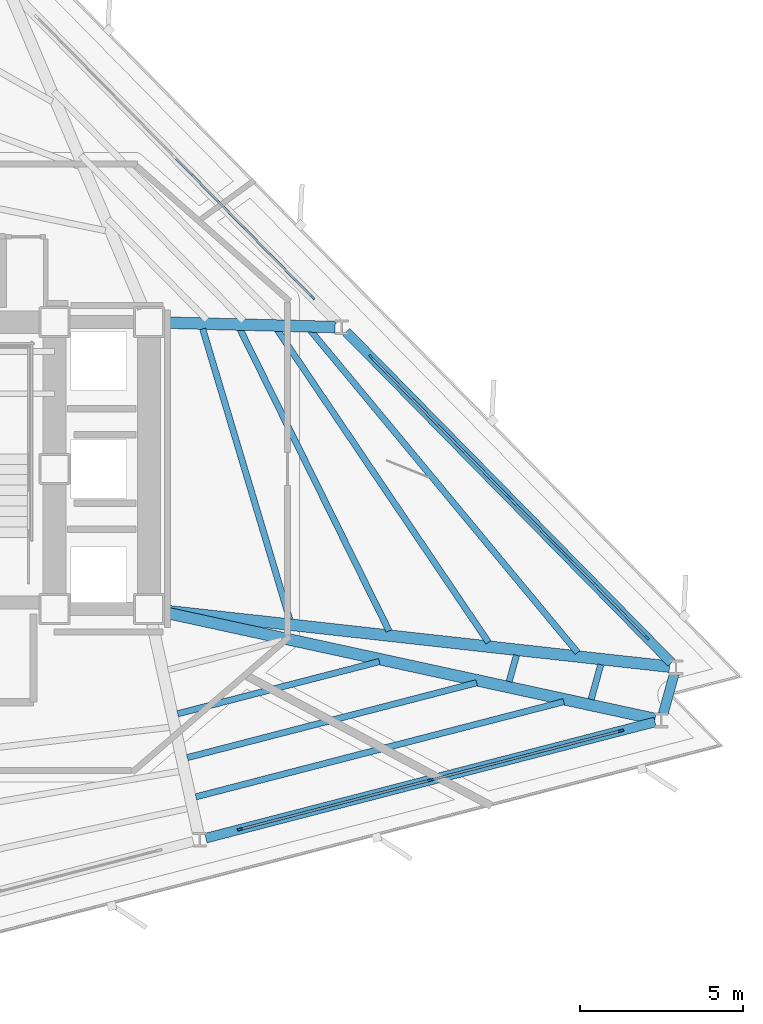
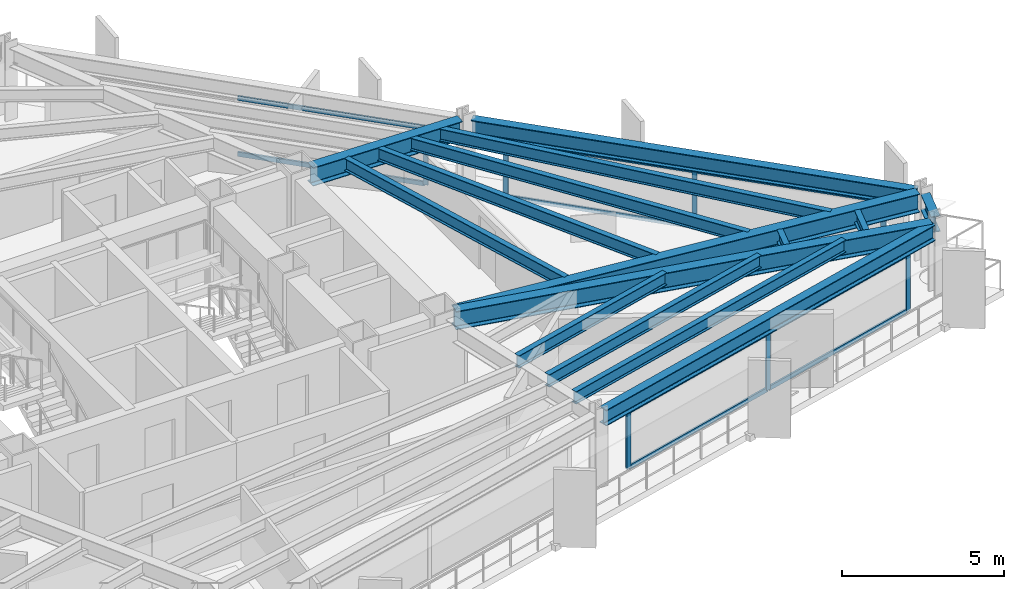
# One storey, part 4 of 11: 17 members, 15 beams, 3 elements without a shape of their own.
"""IFC4 building model written with IfcOpenShell, lengths in metres."""

from ifc_helpers import new_model, si_unit, direction, frame, origin, origin_2d, place, context, subcontext, project, spatial, rectangle, i_section, extrude, material, layer, layer_set, material_profile, profile_set, type_object, element, aggregate, save


model = new_model("IFC4")

# Units and contexts
model_context = context("Model", 3, precision=1e-05, world=origin(), true_north=direction((0.0, 1.0)))
body_context = subcontext(model_context, "Body", "Model", "MODEL_VIEW")
ifc_project = project(units=[si_unit("LENGTHUNIT", "METRE"), si_unit("AREAUNIT", "SQUARE_METRE"), si_unit("VOLUMEUNIT", "CUBIC_METRE"), si_unit("PLANEANGLEUNIT", "RADIAN"), si_unit("MASSUNIT", "GRAM", prefix="KILO")], contexts=[model_context])

# Site, building, storey
site_placement = place(None, origin())
site = spatial("IfcSite", under=ifc_project, at=site_placement, CompositionType="ELEMENT")
building_placement = place(site_placement, origin())
building = spatial("IfcBuilding", under=site, at=building_placement, Name="Rocaltana Carrier Exchange", CompositionType="ELEMENT")
storey_placement = place(building_placement, frame((0.0, 0.0, 85.60009765625)))
storey = spatial("IfcBuildingStorey", under=building, at=storey_placement, Name="L26", CompositionType="ELEMENT", Elevation=85.60009765625)

# Curtain wall, members
ifc_material_1 = material(Name="Aluminium 6063-T6", Category="aluminium")
ifc_layer = layer(ifc_material_1, 0.1650390625)
ifc_layer_set = layer_set([ifc_layer], Name="Aluminium 6063-T6")
curtain_wall_type = type_object("IfcCurtainWallType", Name="Lower-Mid Stepped Curtain Wall CW-02", PredefinedType="NOTDEFINED", material=ifc_layer_set)
curtain_wall_1_placement = place(storey_placement, origin())
curtain_wall_1 = element("IfcCurtainWall", 1, at=curtain_wall_1_placement, inside=storey, type_object=curtain_wall_type, Name="L26 CW-02 Run CW-L26-F1S1", PredefinedType="NOTDEFINED")
ifc_material_2 = material(Name="Aluminium 6063-T6", Category="aluminium")
ifc_material_profile_1 = material_profile(ifc_material_2, rectangle(XDim=0.06494140625, YDim=0.1650390625, at=origin_2d()), Name="AL-65X165")
ifc_profile_set_1 = profile_set([ifc_material_profile_1], Name="Aluminium 6063-T6")
member_type_1 = type_object("IfcMemberType", Name="CW-02 Mullion AL-65X165", PredefinedType="MULLION", material=ifc_profile_set_1)
member_1_placement = place(storey_placement, frame((24.21875, -5.1767578125, 0.0), z_axis=(0.0, 0.0, 1.0), x_axis=(-0.713244767898, -0.700915045542, 0.0)))
member_1 = element("IfcMember", 2, at=member_1_placement, type_object=member_type_1, Name="CW-02 mullion 1", PredefinedType="MULLION", context=body_context, shape_type="SweptSolid", body=[
    extrude(rectangle(XDim=0.06494140625, YDim=0.1650390625, at=origin_2d()), origin(), (0.0, 0.0, 1.0), 2.16796875),
])
member_2_placement = place(storey_placement, frame((19.989501953125, -0.872802734375, 0.0), z_axis=(0.0, 0.0, 1.0), x_axis=(-0.713244767898, -0.700915045542, 0.0)))
member_2 = element("IfcMember", 3, at=member_2_placement, type_object=member_type_1, Name="CW-02 mullion 2", PredefinedType="MULLION", context=body_context, shape_type="SweptSolid", body=[
    extrude(rectangle(XDim=0.06494140625, YDim=0.1650390625, at=origin_2d()), origin(), (0.0, 0.0, 1.0), 2.16796875),
])
member_3_placement = place(storey_placement, frame((15.760009765625, 3.430908203125, 0.0), z_axis=(0.0, 0.0, 1.0), x_axis=(-0.713244767898, -0.700915045542, 0.0)))
member_3 = element("IfcMember", 4, at=member_3_placement, type_object=member_type_1, Name="CW-02 mullion 3", PredefinedType="MULLION", context=body_context, shape_type="SweptSolid", body=[
    extrude(rectangle(XDim=0.06494140625, YDim=0.1650390625, at=origin_2d()), origin(), (0.0, 0.0, 1.0), 2.16796875),
])

# Curtain wall, member
curtain_wall_2_placement = place(storey_placement, origin())
curtain_wall_2 = element("IfcCurtainWall", 5, at=curtain_wall_2_placement, inside=storey, type_object=curtain_wall_type, Name="L26 CW-02 Run CW-L26-F1S2", PredefinedType="NOTDEFINED")
member_4_placement = place(storey_placement, frame((13.962158203125, 5.260498046875, 0.0), z_axis=(0.0, 0.0, 1.0), x_axis=(-0.713244696676, -0.700915118017, 0.0)))
member_4 = element("IfcMember", 6, at=member_4_placement, type_object=member_type_1, Name="CW-02 mullion 1", PredefinedType="MULLION", context=body_context, shape_type="SweptSolid", body=[
    extrude(rectangle(XDim=0.06494140625, YDim=0.1650390625, at=origin_2d()), origin(), (0.0, 0.0, 1.0), 2.16796875),
])

# Curtain wall, members
curtain_wall_3_placement = place(storey_placement, origin())
curtain_wall_3 = element("IfcCurtainWall", 7, at=curtain_wall_3_placement, inside=storey, type_object=curtain_wall_type, Name="L26 CW-02 Run CW-L26-F3S3", PredefinedType="NOTDEFINED")
member_5_placement = place(storey_placement, frame((11.741943359375, -11.057861328125, 0.0), z_axis=(0.0, 0.0, 1.0), x_axis=(-0.250370035526, 0.96815021836, 0.0)))
member_5 = element("IfcMember", 8, at=member_5_placement, type_object=member_type_1, Name="CW-02 mullion 1", PredefinedType="MULLION", context=body_context, shape_type="SweptSolid", body=[
    extrude(rectangle(XDim=0.06494140625, YDim=0.1650390625, at=origin_2d()), origin(), (0.0, 0.0, 1.0), 2.16796875),
])
member_6_placement = place(storey_placement, frame((17.583740234375, -9.547119140625, 0.0), z_axis=(0.0, 0.0, 1.0), x_axis=(-0.250370035526, 0.96815021836, 0.0)))
member_6 = element("IfcMember", 9, at=member_6_placement, type_object=member_type_1, Name="CW-02 mullion 2", PredefinedType="MULLION", context=body_context, shape_type="SweptSolid", body=[
    extrude(rectangle(XDim=0.06494140625, YDim=0.1650390625, at=origin_2d()), origin(), (0.0, 0.0, 1.0), 2.16796875),
])
member_7_placement = place(storey_placement, frame((23.42578125, -8.036376953125, 0.0), z_axis=(0.0, 0.0, 1.0), x_axis=(-0.250370035526, 0.96815021836, 0.0)))
member_7 = element("IfcMember", 10, at=member_7_placement, type_object=member_type_1, Name="CW-02 mullion 3", PredefinedType="MULLION", context=body_context, shape_type="SweptSolid", body=[
    extrude(rectangle(XDim=0.06494140625, YDim=0.1650390625, at=origin_2d()), origin(), (0.0, 0.0, 1.0), 2.16796875),
])

# Member
ifc_material_3 = material(Name="Aluminium 6063-T6", Category="aluminium")
ifc_material_profile_2 = material_profile(ifc_material_3, rectangle(XDim=0.06494140625, YDim=0.1650390625, at=origin_2d()), Name="AL-65X165")
ifc_profile_set_2 = profile_set([ifc_material_profile_2], Name="Aluminium 6063-T6")
member_type_2 = type_object("IfcMemberType", Name="CW-02 Transom AL-65X165", PredefinedType="USERDEFINED", material=ifc_profile_set_2)
member_8_placement = place(storey_placement, frame((24.196044921875, -5.153564453125, 0.032470703125), z_axis=(-0.700903905011, 0.713255715673, 0.0), x_axis=(-0.713255715673, -0.700903905011, 0.0)))
member_8 = element("IfcMember", 11, at=member_8_placement, type_object=member_type_2, Name="CW-02 transom 1.1", ObjectType="TRANSOM", PredefinedType="USERDEFINED", context=body_context, shape_type="SweptSolid", body=[
    extrude(rectangle(XDim=0.06494140625, YDim=0.1650390625, at=origin_2d()), origin(), (0.0, 0.0, 1.0), 5.96923828125),
])

member_9_placement = place(storey_placement, frame((24.196044921875, -5.153564453125, 2.135498046875), z_axis=(-0.700903905011, 0.713255715673, 0.0), x_axis=(-0.713255715673, -0.700903905011, 0.0)))
member_9 = element("IfcMember", 12, at=member_9_placement, type_object=member_type_2, Name="CW-02 transom 1.2", ObjectType="TRANSOM", PredefinedType="USERDEFINED", context=body_context, shape_type="SweptSolid", body=[
    extrude(rectangle(XDim=0.06494140625, YDim=0.1650390625, at=origin_2d()), origin(), (0.0, 0.0, 1.0), 5.96923828125),
])

member_10_placement = place(storey_placement, frame((19.966552734375, -0.849609375, 0.032470703125), z_axis=(-0.700924352217, 0.713235621985, 0.0), x_axis=(-0.713235621985, -0.700924352217, 0.0)))
member_10 = element("IfcMember", 13, at=member_10_placement, type_object=member_type_2, Name="CW-02 transom 2.1", ObjectType="TRANSOM", PredefinedType="USERDEFINED", context=body_context, shape_type="SweptSolid", body=[
    extrude(rectangle(XDim=0.06494140625, YDim=0.1650390625, at=origin_2d()), origin(), (0.0, 0.0, 1.0), 5.968994140625),
])

member_11_placement = place(storey_placement, frame((19.966552734375, -0.849609375, 2.135498046875), z_axis=(-0.700924352217, 0.713235621985, 0.0), x_axis=(-0.713235621985, -0.700924352217, 0.0)))
member_11 = element("IfcMember", 14, at=member_11_placement, type_object=member_type_2, Name="CW-02 transom 2.2", ObjectType="TRANSOM", PredefinedType="USERDEFINED", context=body_context, shape_type="SweptSolid", body=[
    extrude(rectangle(XDim=0.06494140625, YDim=0.1650390625, at=origin_2d()), origin(), (0.0, 0.0, 1.0), 5.968994140625),
])

aggregate(curtain_wall_1, [member_1, member_2, member_3, member_8, member_9, member_10, member_11])

member_12_placement = place(storey_placement, frame((13.939453125, 5.28369140625, 0.032470703125), z_axis=(-0.700903905011, 0.713255715673, 0.0), x_axis=(-0.713255715673, -0.700903905011, 0.0)))
member_12 = element("IfcMember", 15, at=member_12_placement, type_object=member_type_2, Name="CW-02 transom 1.1", ObjectType="TRANSOM", PredefinedType="USERDEFINED", context=body_context, shape_type="SweptSolid", body=[
    extrude(rectangle(XDim=0.06494140625, YDim=0.1650390625, at=origin_2d()), origin(), (0.0, 0.0, 1.0), 5.96923828125),
])

member_13_placement = place(storey_placement, frame((13.939453125, 5.28369140625, 2.135498046875), z_axis=(-0.700903905011, 0.713255715673, 0.0), x_axis=(-0.713255715673, -0.700903905011, 0.0)))
member_13 = element("IfcMember", 16, at=member_13_placement, type_object=member_type_2, Name="CW-02 transom 1.2", ObjectType="TRANSOM", PredefinedType="USERDEFINED", context=body_context, shape_type="SweptSolid", body=[
    extrude(rectangle(XDim=0.06494140625, YDim=0.1650390625, at=origin_2d()), origin(), (0.0, 0.0, 1.0), 5.96923828125),
])

aggregate(curtain_wall_2, [member_4, member_12, member_13])

member_14_placement = place(storey_placement, frame((11.7734375, -11.0498046875, 0.032470703125), z_axis=(0.968142466864, 0.250400007695, 0.0), x_axis=(-0.250400007695, 0.968142466864, 0.0)))
member_14 = element("IfcMember", 17, at=member_14_placement, type_object=member_type_2, Name="CW-02 transom 1.1", ObjectType="TRANSOM", PredefinedType="USERDEFINED", context=body_context, shape_type="SweptSolid", body=[
    extrude(rectangle(XDim=0.06494140625, YDim=0.1650390625, at=origin_2d()), origin(), (0.0, 0.0, 1.0), 5.968994140625),
])

member_15_placement = place(storey_placement, frame((11.7734375, -11.0498046875, 2.135498046875), z_axis=(0.968142466864, 0.250400007695, 0.0), x_axis=(-0.250400007695, 0.968142466864, 0.0)))
member_15 = element("IfcMember", 18, at=member_15_placement, type_object=member_type_2, Name="CW-02 transom 1.2", ObjectType="TRANSOM", PredefinedType="USERDEFINED", context=body_context, shape_type="SweptSolid", body=[
    extrude(rectangle(XDim=0.06494140625, YDim=0.1650390625, at=origin_2d()), origin(), (0.0, 0.0, 1.0), 5.968994140625),
])

member_16_placement = place(storey_placement, frame((17.615234375, -9.5390625, 0.032470703125), z_axis=(0.968145031253, 0.250390092575, 0.0), x_axis=(-0.250390092575, 0.968145031253, 0.0)))
member_16 = element("IfcMember", 19, at=member_16_placement, type_object=member_type_2, Name="CW-02 transom 2.1", ObjectType="TRANSOM", PredefinedType="USERDEFINED", context=body_context, shape_type="SweptSolid", body=[
    extrude(rectangle(XDim=0.06494140625, YDim=0.1650390625, at=origin_2d()), origin(), (0.0, 0.0, 1.0), 5.96923828125),
])

member_17_placement = place(storey_placement, frame((17.615234375, -9.5390625, 2.135498046875), z_axis=(0.968145031253, 0.250390092575, 0.0), x_axis=(-0.250390092575, 0.968145031253, 0.0)))
member_17 = element("IfcMember", 20, at=member_17_placement, type_object=member_type_2, Name="CW-02 transom 2.2", ObjectType="TRANSOM", PredefinedType="USERDEFINED", context=body_context, shape_type="SweptSolid", body=[
    extrude(rectangle(XDim=0.06494140625, YDim=0.1650390625, at=origin_2d()), origin(), (0.0, 0.0, 1.0), 5.96923828125),
])

aggregate(curtain_wall_3, [member_5, member_6, member_7, member_14, member_15, member_16, member_17])

# Beams
ifc_material_4 = material(Name="Steel S355", Category="steel")
ifc_material_profile_3 = material_profile(ifc_material_4, i_section(OverallWidth=0.193115234375, OverallDepth=0.466064453125, WebThickness=0.011474609375, FlangeThickness=0.01904296875, FilletRadius=0.013916015625, at=origin_2d()), Name="W18X65")
ifc_profile_set_3 = profile_set([ifc_material_profile_3], Name="Steel S355")
beam_type_1 = type_object("IfcBeamType", Name="Floor Joist W18X65", PredefinedType="JOIST", material=ifc_profile_set_3)
beam_1_placement = place(storey_placement, frame((13.26611328125, -4.619384765625, 2.554931640625), z_axis=(-0.287034949518, 0.95792011032, 0.0), x_axis=(-0.95792011032, -0.287034949518, 0.0)))
element("IfcBeam", 21, at=beam_1_placement, inside=storey, type_object=beam_type_1, Name="FJ-L26-01-1", PredefinedType="JOIST", context=body_context, shape_type="SweptSolid", body=[
    extrude(i_section(OverallWidth=0.193115234375, OverallDepth=0.466064453125, WebThickness=0.011474609375, FlangeThickness=0.01904296875, FilletRadius=0.013916015625, at=origin_2d()), origin(), (0.0, 0.0, 1.0), 9.30517578125),
])
beam_2_placement = place(storey_placement, frame((16.311279296875, -4.97021484375, 2.554931640625), z_axis=(-0.442813915887, 0.89661353765, 0.0), x_axis=(-0.89661353765, -0.442813915887, 0.0)))
element("IfcBeam", 22, at=beam_2_placement, inside=storey, type_object=beam_type_1, Name="FJ-L26-01-2", PredefinedType="JOIST", context=body_context, shape_type="SweptSolid", body=[
    extrude(i_section(OverallWidth=0.193115234375, OverallDepth=0.466064453125, WebThickness=0.011474609375, FlangeThickness=0.01904296875, FilletRadius=0.013916015625, at=origin_2d()), origin(), (0.0, 0.0, 1.0), 10.311767578125),
])
beam_3_placement = place(storey_placement, frame((19.363037109375, -5.322509765625, 2.554931640625), z_axis=(-0.55996593104, 0.828515634177, 0.0), x_axis=(-0.828515634177, -0.55996593104, 0.0)))
element("IfcBeam", 23, at=beam_3_placement, inside=storey, type_object=beam_type_1, Name="FJ-L26-01-3", PredefinedType="JOIST", context=body_context, shape_type="SweptSolid", body=[
    extrude(i_section(OverallWidth=0.193115234375, OverallDepth=0.466064453125, WebThickness=0.011474609375, FlangeThickness=0.01904296875, FilletRadius=0.013916015625, at=origin_2d()), origin(), (0.0, 0.0, 1.0), 11.56298828125),
])
beam_4_placement = place(storey_placement, frame((22.097900390625, -5.636962890625, 2.554931640625), z_axis=(-0.638314973765, 0.769775288164, 0.0), x_axis=(-0.769775288164, -0.638314973765, 0.0)))
element("IfcBeam", 24, at=beam_4_placement, inside=storey, type_object=beam_type_1, Name="FJ-L26-01-4", PredefinedType="JOIST", context=body_context, shape_type="SweptSolid", body=[
    extrude(i_section(OverallWidth=0.193115234375, OverallDepth=0.466064453125, WebThickness=0.011474609375, FlangeThickness=0.01904296875, FilletRadius=0.013916015625, at=origin_2d()), origin(), (0.0, 0.0, 1.0), 12.832763671875),
])
beam_5_placement = place(storey_placement, frame((9.8291015625, -7.513427734375, 2.554931640625), z_axis=(0.968143557315, 0.250395791558, 0.0), x_axis=(-0.250395791558, 0.968143557315, 0.0)))
element("IfcBeam", 25, at=beam_5_placement, inside=storey, type_object=beam_type_1, Name="FJ-L26-11-2", PredefinedType="JOIST", context=body_context, shape_type="SweptSolid", body=[
    extrude(i_section(OverallWidth=0.193115234375, OverallDepth=0.466064453125, WebThickness=0.011474609375, FlangeThickness=0.01904296875, FilletRadius=0.013916015625, at=origin_2d()), origin(), (0.0, 0.0, 1.0), 6.388427734375),
])
beam_6_placement = place(storey_placement, frame((10.123779296875, -8.8583984375, 2.554931640625), z_axis=(0.968146466447, 0.250384543264, 0.0), x_axis=(-0.250384543264, 0.968146466447, 0.0)))
element("IfcBeam", 26, at=beam_6_placement, inside=storey, type_object=beam_type_1, Name="FJ-L26-11-3", PredefinedType="JOIST", context=body_context, shape_type="SweptSolid", body=[
    extrude(i_section(OverallWidth=0.193115234375, OverallDepth=0.466064453125, WebThickness=0.011474609375, FlangeThickness=0.01904296875, FilletRadius=0.013916015625, at=origin_2d()), origin(), (0.0, 0.0, 1.0), 9.16845703125),
])
beam_7_placement = place(storey_placement, frame((10.38720703125, -10.061767578125, 2.554931640625), z_axis=(0.968148049608, 0.250378421674, 0.0), x_axis=(-0.250378421674, 0.968148049608, 0.0)))
element("IfcBeam", 27, at=beam_7_placement, inside=storey, type_object=beam_type_1, Name="FJ-L26-11-4", PredefinedType="JOIST", context=body_context, shape_type="SweptSolid", body=[
    extrude(i_section(OverallWidth=0.193115234375, OverallDepth=0.466064453125, WebThickness=0.011474609375, FlangeThickness=0.01904296875, FilletRadius=0.013916015625, at=origin_2d()), origin(), (0.0, 0.0, 1.0), 11.65625),
])
beam_8_placement = place(storey_placement, frame((19.998046875, -6.525390625, 2.554931640625), z_axis=(0.267312721501, 0.96360983231, 0.0), x_axis=(-0.96360983231, 0.267312721501, 0.0)))
element("IfcBeam", 28, at=beam_8_placement, inside=storey, type_object=beam_type_1, Name="FJ-L26-12-3", PredefinedType="JOIST", context=body_context, shape_type="SweptSolid", body=[
    extrude(i_section(OverallWidth=0.193115234375, OverallDepth=0.466064453125, WebThickness=0.011474609375, FlangeThickness=0.01904296875, FilletRadius=0.013916015625, at=origin_2d()), origin(), (0.0, 0.0, 1.0), 0.836669921875),
])
beam_9_placement = place(storey_placement, frame((22.5126953125, -7.07177734375, 2.554931640625), z_axis=(0.267336435307, 0.963603253605, 0.0), x_axis=(-0.963603253605, 0.267336435307, 0.0)))
element("IfcBeam", 29, at=beam_9_placement, inside=storey, type_object=beam_type_1, Name="FJ-L26-12-4", PredefinedType="JOIST", context=body_context, shape_type="SweptSolid", body=[
    extrude(i_section(OverallWidth=0.193115234375, OverallDepth=0.466064453125, WebThickness=0.011474609375, FlangeThickness=0.01904296875, FilletRadius=0.013916015625, at=origin_2d()), origin(), (0.0, 0.0, 1.0), 1.10595703125),
])
ifc_material_5 = material(Name="Steel S355", Category="steel")
ifc_material_profile_4 = material_profile(ifc_material_5, i_section(OverallWidth=0.35498046875, OverallDepth=0.695068359375, WebThickness=0.015380859375, FlangeThickness=0.02490234375, FilletRadius=0.01806640625, at=origin_2d()), Name="W27X146")
ifc_profile_set_4 = profile_set([ifc_material_profile_4], Name="Steel S355")
beam_type_2 = type_object("IfcBeamType", Name="Radial Girder W27X146", PredefinedType="BEAM", material=ifc_profile_set_4)
beam_10_placement = place(storey_placement, frame((9.414306640625, -4.351318359375, 2.4404296875), z_axis=(0.993916139966, -0.110139487535, 0.0), x_axis=(0.110139487535, 0.993916139966, 0.0)))
element("IfcBeam", 30, at=beam_10_placement, inside=storey, type_object=beam_type_2, Name="RG-L26-01", PredefinedType="BEAM", context=body_context, shape_type="SweptSolid", body=[
    extrude(i_section(OverallWidth=0.35498046875, OverallDepth=0.695068359375, WebThickness=0.015380859375, FlangeThickness=0.02490234375, FilletRadius=0.01806640625, at=origin_2d()), origin(), (0.0, 0.0, 1.0), 15.5986328125),
])
beam_11_placement = place(storey_placement, frame((9.416748046875, 4.48779296875, 2.4404296875), z_axis=(0.99965902203, -0.026112059941, 0.0), x_axis=(0.026112059941, 0.99965902203, 0.0)))
element("IfcBeam", 31, at=beam_11_placement, inside=storey, type_object=beam_type_2, Name="RG-L26-02", PredefinedType="BEAM", context=body_context, shape_type="SweptSolid", body=[
    extrude(i_section(OverallWidth=0.35498046875, OverallDepth=0.695068359375, WebThickness=0.015380859375, FlangeThickness=0.02490234375, FilletRadius=0.01806640625, at=origin_2d()), origin(), (0.0, 0.0, 1.0), 5.2451171875),
])
beam_12_placement = place(storey_placement, frame((9.406494140625, -4.399169921875, 2.4404296875), z_axis=(0.977195798541, -0.21234022538, 0.0), x_axis=(0.21234022538, 0.977195798541, 0.0)))
element("IfcBeam", 32, at=beam_12_placement, inside=storey, type_object=beam_type_2, Name="RG-L26-12", PredefinedType="BEAM", context=body_context, shape_type="SweptSolid", body=[
    extrude(i_section(OverallWidth=0.35498046875, OverallDepth=0.695068359375, WebThickness=0.015380859375, FlangeThickness=0.02490234375, FilletRadius=0.01806640625, at=origin_2d()), origin(), (0.0, 0.0, 1.0), 15.416015625),
])
ifc_material_6 = material(Name="Steel S355", Category="steel")
ifc_material_profile_5 = material_profile(ifc_material_6, i_section(OverallWidth=0.300048828125, OverallDepth=0.60009765625, WebThickness=0.015380859375, FlangeThickness=0.030029296875, FilletRadius=0.027099609375, at=origin_2d()), Name="HEB600")
ifc_profile_set_5 = profile_set([ifc_material_profile_5], Name="Steel S355")
beam_type_3 = type_object("IfcBeamType", Name="Spandrel Edge Beam HEB600", PredefinedType="SPANDREL", material=ifc_profile_set_5)
beam_13_placement = place(storey_placement, frame((24.976806640625, -5.947998046875, 2.48779296875), z_axis=(-0.700912568361, 0.713247202247, 0.0), x_axis=(-0.713247202247, -0.700912568361, 0.0)))
element("IfcBeam", 33, at=beam_13_placement, inside=storey, type_object=beam_type_3, Name="SP-L26-01", PredefinedType="SPANDREL", context=body_context, shape_type="SweptSolid", body=[
    extrude(i_section(OverallWidth=0.300048828125, OverallDepth=0.60009765625, WebThickness=0.015380859375, FlangeThickness=0.030029296875, FilletRadius=0.027099609375, at=origin_2d()), origin(), (0.0, 0.0, 1.0), 14.231201171875),
])
beam_14_placement = place(storey_placement, frame((10.69482421875, -11.32861328125, 2.48779296875), z_axis=(0.968147987083, 0.250378663444, 0.0), x_axis=(-0.250378663444, 0.968147987083, 0.0)))
element("IfcBeam", 34, at=beam_14_placement, inside=storey, type_object=beam_type_3, Name="SP-L26-11", PredefinedType="SPANDREL", context=body_context, shape_type="SweptSolid", body=[
    extrude(i_section(OverallWidth=0.300048828125, OverallDepth=0.60009765625, WebThickness=0.015380859375, FlangeThickness=0.030029296875, FilletRadius=0.027099609375, at=origin_2d()), origin(), (0.0, 0.0, 1.0), 14.2314453125),
])
beam_15_placement = place(storey_placement, frame((24.72119140625, -7.521484375, 2.48779296875), z_axis=(0.267172731541, 0.963648655642, 0.0), x_axis=(-0.963648655642, 0.267172731541, 0.0)))
element("IfcBeam", 35, at=beam_15_placement, inside=storey, type_object=beam_type_3, Name="SP-L26-12", PredefinedType="SPANDREL", context=body_context, shape_type="SweptSolid", body=[
    extrude(i_section(OverallWidth=0.300048828125, OverallDepth=0.60009765625, WebThickness=0.015380859375, FlangeThickness=0.030029296875, FilletRadius=0.027099609375, at=origin_2d()), origin(), (0.0, 0.0, 1.0), 1.282958984375),
])

save(model, "model.ifc")
